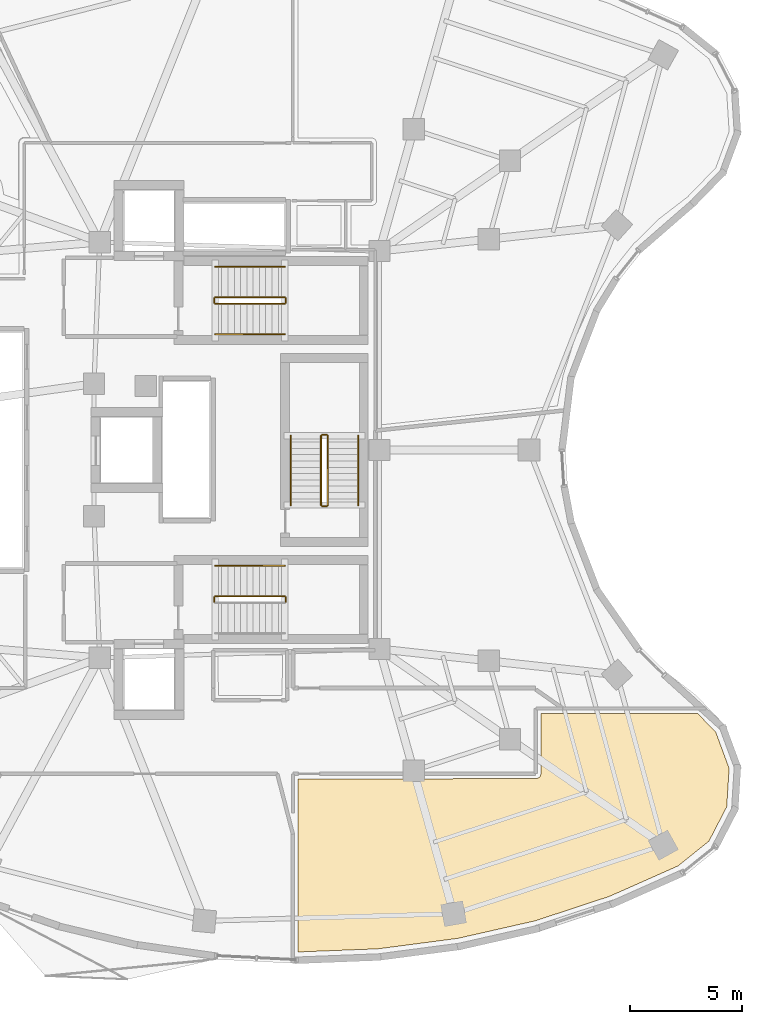
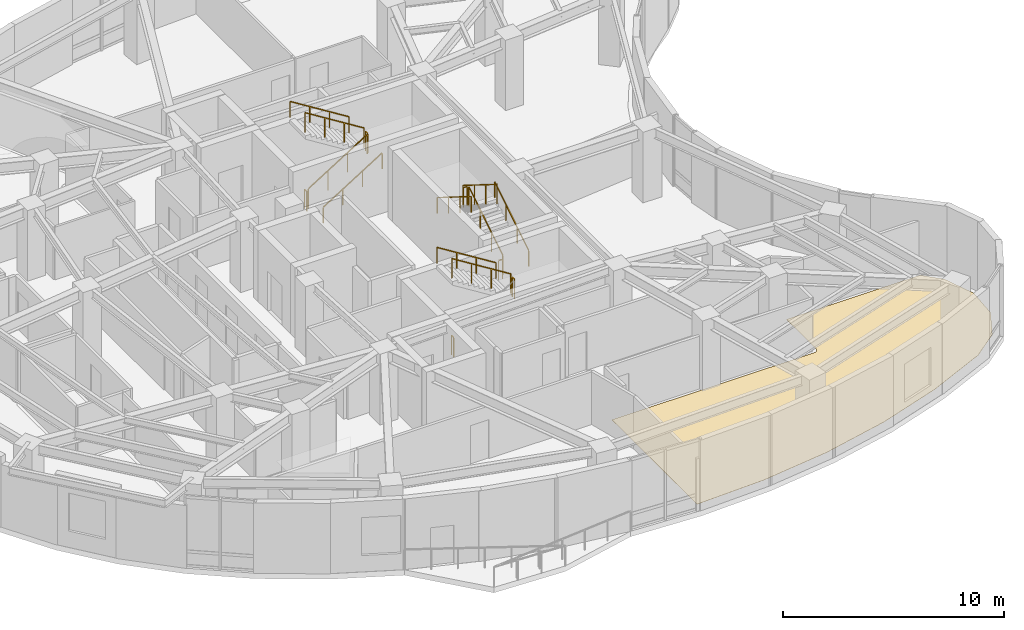
# One storey, part 13 of 14: 16 railings, 1 covering.
"""IFC4 building model written with IfcOpenShell, lengths in metres."""

from ifc_helpers import new_model, si_unit, direction, frame, origin, origin_2d, place, context, subcontext, project, spatial, polyline, rectangle, outline, extrude, material, layer, layer_set, type_object, element, save


model = new_model("IFC4")

# Units and contexts
model_context = context("Model", 3, precision=1e-05, world=origin(), true_north=direction((0.0, 1.0)))
body_context = subcontext(model_context, "Body", "Model", "MODEL_VIEW")
ifc_project = project(units=[si_unit("LENGTHUNIT", "METRE"), si_unit("AREAUNIT", "SQUARE_METRE"), si_unit("VOLUMEUNIT", "CUBIC_METRE"), si_unit("PLANEANGLEUNIT", "RADIAN"), si_unit("MASSUNIT", "GRAM", prefix="KILO")], contexts=[model_context])

# Site, building, storey
site_placement = place(None, origin())
site = spatial("IfcSite", under=ifc_project, at=site_placement, CompositionType="ELEMENT")
building_placement = place(site_placement, origin())
building = spatial("IfcBuilding", under=site, at=building_placement, Name="Korentha Bioscience Tower", CompositionType="ELEMENT")
storey_placement = place(building_placement, frame((0.0, 0.0, 231.0)))
storey = spatial("IfcBuildingStorey", under=building, at=storey_placement, Name="L53", CompositionType="ELEMENT", Elevation=231.0)

# Railings
ifc_material_1 = material(Name="Stainless Steel 304", Category="steel")
railing_type_1 = type_object("IfcRailingType", Name="Brushed Stainless Stair Handrail 900", PredefinedType="HANDRAIL", material=ifc_material_1)
railing_1_placement = place(storey_placement, frame((30.25, 32.14990234375, 0.175048828125)))
element("IfcRailing", 1, at=railing_1_placement, inside=storey, type_object=railing_type_1, Name="L53 ST-1 stair handrail 1", PredefinedType="HANDRAIL", context=body_context, shape_type="SweptSolid", body=[
    extrude(rectangle(XDim=0.048095703125, YDim=0.048095703125, at=origin_2d()), frame((0.0, 0.0, 0.8759765625), z_axis=(0.847998304005, 0.0, 0.529998940003), x_axis=(0.0, 1.0, 0.0)), (0.0, 0.0, 1.0), 3.632080078125),
    extrude(rectangle(XDim=0.0419921875, YDim=0.0419921875, at=origin_2d()), origin(), (0.0, 0.0, 1.0), 0.851806640625),
    extrude(rectangle(XDim=0.0419921875, YDim=0.0419921875, at=origin_2d()), frame((1.026611328125, 0.0, 0.6416015625)), (0.0, 0.0, 1.0), 0.851806640625),
    extrude(rectangle(XDim=0.0419921875, YDim=0.0419921875, at=origin_2d()), frame((2.053466796875, 0.0, 1.283447265625)), (0.0, 0.0, 1.0), 0.851806640625),
    extrude(rectangle(XDim=0.0419921875, YDim=0.0419921875, at=origin_2d()), frame((3.080078125, 0.0, 1.925048828125)), (0.0, 0.0, 1.0), 0.851806640625),
])
for number, where, name in (
    (2, (33.330078125, 35.14990234375, 2.27490234375), "L53 ST-1 stair handrail 2"),
    (3, (33.330078125, 21.85009765625, 2.27490234375), "L53 ST-2 stair handrail 2"),
):
    element("IfcRailing", number, at=place(storey_placement, frame(where)), inside=storey, type_object=railing_type_1, Name=name, PredefinedType="HANDRAIL", context=body_context, shape_type="SweptSolid", body=[
        extrude(rectangle(XDim=0.048095703125, YDim=0.048095703125, at=origin_2d()), frame((0.0, 0.0, 0.8759765625), z_axis=(-0.847998304005, 0.0, 0.529998940003), x_axis=(0.0, -1.0, 0.0)), (0.0, 0.0, 1.0), 3.632080078125),
        extrude(rectangle(XDim=0.0419921875, YDim=0.0419921875, at=origin_2d()), origin(), (0.0, 0.0, 1.0), 0.851806640625),
        extrude(rectangle(XDim=0.0419921875, YDim=0.0419921875, at=origin_2d()), frame((-1.026611328125, 0.0, 0.6416015625)), (0.0, 0.0, 1.0), 0.851806640625),
        extrude(rectangle(XDim=0.0419921875, YDim=0.0419921875, at=origin_2d()), frame((-2.053466796875, 0.0, 1.283447265625)), (0.0, 0.0, 1.0), 0.851806640625),
        extrude(rectangle(XDim=0.0419921875, YDim=0.0419921875, at=origin_2d()), frame((-3.080078125, 0.0, 1.925048828125)), (0.0, 0.0, 1.0), 0.851806640625),
    ])
railing_2_placement = place(storey_placement, frame((36.60009765625, 24.550048828125, 0.175048828125)))
element("IfcRailing", 4, at=railing_2_placement, inside=storey, type_object=railing_type_1, Name="L53 ST-3 stair handrail 1", PredefinedType="HANDRAIL", context=body_context, shape_type="SweptSolid", body=[
    extrude(rectangle(XDim=0.048095703125, YDim=0.048095703125, at=origin_2d()), frame((0.0, 0.0, 0.8759765625), z_axis=(0.0, 0.847979421464, 0.530029150871), x_axis=(-1.0, 0.0, 0.0)), (0.0, 0.0, 1.0), 3.632080078125),
    extrude(rectangle(XDim=0.0419921875, YDim=0.0419921875, at=origin_2d()), origin(), (0.0, 0.0, 1.0), 0.851806640625),
    extrude(rectangle(XDim=0.0419921875, YDim=0.0419921875, at=origin_2d()), frame((0.0, 1.026611328125, 0.6416015625)), (0.0, 0.0, 1.0), 0.851806640625),
    extrude(rectangle(XDim=0.0419921875, YDim=0.0419921875, at=origin_2d()), frame((0.0, 2.05322265625, 1.283447265625)), (0.0, 0.0, 1.0), 0.851806640625),
    extrude(rectangle(XDim=0.0419921875, YDim=0.0419921875, at=origin_2d()), frame((0.0, 3.079833984375, 1.925048828125)), (0.0, 0.0, 1.0), 0.851806640625),
])
railing_3_placement = place(storey_placement, frame((33.60009765625, 27.6298828125, 2.27490234375)))
element("IfcRailing", 5, at=railing_3_placement, inside=storey, type_object=railing_type_1, Name="L53 ST-3 stair handrail 2", PredefinedType="HANDRAIL", context=body_context, shape_type="SweptSolid", body=[
    extrude(rectangle(XDim=0.048095703125, YDim=0.048095703125, at=origin_2d()), frame((0.0, 0.0, 0.8759765625), z_axis=(0.0, -0.847979421464, 0.530029150871), x_axis=(1.0, 0.0, 0.0)), (0.0, 0.0, 1.0), 3.632080078125),
    extrude(rectangle(XDim=0.0419921875, YDim=0.0419921875, at=origin_2d()), origin(), (0.0, 0.0, 1.0), 0.851806640625),
    extrude(rectangle(XDim=0.0419921875, YDim=0.0419921875, at=origin_2d()), frame((0.0, -1.026611328125, 0.6416015625)), (0.0, 0.0, 1.0), 0.851806640625),
    extrude(rectangle(XDim=0.0419921875, YDim=0.0419921875, at=origin_2d()), frame((0.0, -2.05322265625, 1.283447265625)), (0.0, 0.0, 1.0), 0.851806640625),
    extrude(rectangle(XDim=0.0419921875, YDim=0.0419921875, at=origin_2d()), frame((0.0, -3.079833984375, 1.925048828125)), (0.0, 0.0, 1.0), 0.851806640625),
])
ifc_material_2 = material(Name="Painted Steel S275", Category="steel")
railing_type_2 = type_object("IfcRailingType", Name="Painted Steel Stair Well Guardrail 1100", PredefinedType="GUARDRAIL", material=ifc_material_2)
railing_4_placement = place(storey_placement, frame((30.25, 33.5, 0.175048828125)))
element("IfcRailing", 6, at=railing_4_placement, inside=storey, type_object=railing_type_2, Name="L53 ST-1 stair guard 1", PredefinedType="GUARDRAIL", context=body_context, shape_type="SweptSolid", body=[
    extrude(rectangle(XDim=0.048095703125, YDim=0.048095703125, at=origin_2d()), frame((0.0, 0.0, 1.076171875), z_axis=(0.847998304005, 0.0, 0.529998940003), x_axis=(0.0, 1.0, 0.0)), (0.0, 0.0, 1.0), 3.632080078125),
    extrude(rectangle(XDim=0.0419921875, YDim=0.0419921875, at=origin_2d()), origin(), (0.0, 0.0, 1.0), 1.052001953125),
    extrude(rectangle(XDim=0.0419921875, YDim=0.0419921875, at=origin_2d()), frame((1.026611328125, 0.0, 0.6416015625)), (0.0, 0.0, 1.0), 1.052001953125),
    extrude(rectangle(XDim=0.0419921875, YDim=0.0419921875, at=origin_2d()), frame((2.053466796875, 0.0, 1.283447265625)), (0.0, 0.0, 1.0), 1.052001953125),
    extrude(rectangle(XDim=0.0419921875, YDim=0.0419921875, at=origin_2d()), frame((3.080078125, 0.0, 1.925048828125)), (0.0, 0.0, 1.0), 1.052001953125),
])
railing_5_placement = place(storey_placement, frame((33.3798828125, 33.550048828125, 2.10009765625)))
element("IfcRailing", 7, at=railing_5_placement, inside=storey, type_object=railing_type_2, Name="L53 ST-1 stair guard 2", PredefinedType="GUARDRAIL", context=body_context, shape_type="SweptSolid", body=[
    extrude(rectangle(XDim=0.048095703125, YDim=0.048095703125, at=origin_2d()), frame((0.0, 0.0, 1.076171875), z_axis=(0.0, 1.0, 0.0), x_axis=(-1.0, 0.0, 0.0)), (0.0, 0.0, 1.0), 0.199951171875),
    extrude(rectangle(XDim=0.0419921875, YDim=0.0419921875, at=origin_2d()), origin(), (0.0, 0.0, 1.0), 1.052001953125),
    extrude(rectangle(XDim=0.0419921875, YDim=0.0419921875, at=origin_2d()), frame((0.0, 0.199951171875, 0.0)), (0.0, 0.0, 1.0), 1.052001953125),
])
railing_6_placement = place(storey_placement, frame((33.330078125, 33.800048828125, 2.27490234375)))
element("IfcRailing", 8, at=railing_6_placement, inside=storey, type_object=railing_type_2, Name="L53 ST-1 stair guard 3", PredefinedType="GUARDRAIL", context=body_context, shape_type="SweptSolid", body=[
    extrude(rectangle(XDim=0.048095703125, YDim=0.048095703125, at=origin_2d()), frame((0.0, 0.0, 1.076171875), z_axis=(-0.847998304005, 0.0, 0.529998940003), x_axis=(0.0, -1.0, 0.0)), (0.0, 0.0, 1.0), 3.632080078125),
    extrude(rectangle(XDim=0.0419921875, YDim=0.0419921875, at=origin_2d()), origin(), (0.0, 0.0, 1.0), 1.052001953125),
    extrude(rectangle(XDim=0.0419921875, YDim=0.0419921875, at=origin_2d()), frame((-1.026611328125, 0.0, 0.6416015625)), (0.0, 0.0, 1.0), 1.052001953125),
    extrude(rectangle(XDim=0.0419921875, YDim=0.0419921875, at=origin_2d()), frame((-2.053466796875, 0.0, 1.283447265625)), (0.0, 0.0, 1.0), 1.052001953125),
    extrude(rectangle(XDim=0.0419921875, YDim=0.0419921875, at=origin_2d()), frame((-3.080078125, 0.0, 1.925048828125)), (0.0, 0.0, 1.0), 1.052001953125),
])
for number, where, name in (
    (9, (30.199951171875, 33.550048828125, 0.0), "L53 ST-1 stair guard 4"),
    (10, (33.3798828125, 20.25, 2.10009765625), "L53 ST-2 stair guard 2"),
):
    element("IfcRailing", number, at=place(storey_placement, frame(where)), inside=storey, type_object=railing_type_2, Name=name, PredefinedType="GUARDRAIL", context=body_context, shape_type="SweptSolid", body=[
        extrude(rectangle(XDim=0.048095703125, YDim=0.048095703125, at=origin_2d()), frame((0.0, 0.0, 1.076171875), z_axis=(0.0, 1.0, 0.0), x_axis=(-1.0, 0.0, 0.0)), (0.0, 0.0, 1.0), 0.199951171875),
        extrude(rectangle(XDim=0.0419921875, YDim=0.0419921875, at=origin_2d()), origin(), (0.0, 0.0, 1.0), 1.052001953125),
        extrude(rectangle(XDim=0.0419921875, YDim=0.0419921875, at=origin_2d()), frame((0.0, 0.199951171875, 0.0)), (0.0, 0.0, 1.0), 1.052001953125),
    ])
railing_7_placement = place(storey_placement, frame((33.330078125, 20.5, 2.27490234375)))
element("IfcRailing", 11, at=railing_7_placement, inside=storey, type_object=railing_type_2, Name="L53 ST-2 stair guard 3", PredefinedType="GUARDRAIL", context=body_context, shape_type="SweptSolid", body=[
    extrude(rectangle(XDim=0.048095703125, YDim=0.048095703125, at=origin_2d()), frame((0.0, 0.0, 1.076171875), z_axis=(-0.847998304005, 0.0, 0.529998940003), x_axis=(0.0, -1.0, 0.0)), (0.0, 0.0, 1.0), 3.632080078125),
    extrude(rectangle(XDim=0.0419921875, YDim=0.0419921875, at=origin_2d()), origin(), (0.0, 0.0, 1.0), 1.052001953125),
    extrude(rectangle(XDim=0.0419921875, YDim=0.0419921875, at=origin_2d()), frame((-1.026611328125, 0.0, 0.6416015625)), (0.0, 0.0, 1.0), 1.052001953125),
    extrude(rectangle(XDim=0.0419921875, YDim=0.0419921875, at=origin_2d()), frame((-2.053466796875, 0.0, 1.283447265625)), (0.0, 0.0, 1.0), 1.052001953125),
    extrude(rectangle(XDim=0.0419921875, YDim=0.0419921875, at=origin_2d()), frame((-3.080078125, 0.0, 1.925048828125)), (0.0, 0.0, 1.0), 1.052001953125),
])
railing_8_placement = place(storey_placement, frame((30.199951171875, 20.25, 0.0)))
element("IfcRailing", 12, at=railing_8_placement, inside=storey, type_object=railing_type_2, Name="L53 ST-2 stair guard 4", PredefinedType="GUARDRAIL", context=body_context, shape_type="SweptSolid", body=[
    extrude(rectangle(XDim=0.048095703125, YDim=0.048095703125, at=origin_2d()), frame((0.0, 0.0, 1.076171875), z_axis=(0.0, 1.0, 0.0), x_axis=(-1.0, 0.0, 0.0)), (0.0, 0.0, 1.0), 0.199951171875),
    extrude(rectangle(XDim=0.0419921875, YDim=0.0419921875, at=origin_2d()), origin(), (0.0, 0.0, 1.0), 1.052001953125),
    extrude(rectangle(XDim=0.0419921875, YDim=0.0419921875, at=origin_2d()), frame((0.0, 0.199951171875, 0.0)), (0.0, 0.0, 1.0), 1.052001953125),
])
railing_9_placement = place(storey_placement, frame((35.25, 24.550048828125, 0.175048828125)))
element("IfcRailing", 13, at=railing_9_placement, inside=storey, type_object=railing_type_2, Name="L53 ST-3 stair guard 1", PredefinedType="GUARDRAIL", context=body_context, shape_type="SweptSolid", body=[
    extrude(rectangle(XDim=0.048095703125, YDim=0.048095703125, at=origin_2d()), frame((0.0, 0.0, 1.076171875), z_axis=(0.0, 0.847979421464, 0.530029150871), x_axis=(-1.0, 0.0, 0.0)), (0.0, 0.0, 1.0), 3.632080078125),
    extrude(rectangle(XDim=0.0419921875, YDim=0.0419921875, at=origin_2d()), origin(), (0.0, 0.0, 1.0), 1.052001953125),
    extrude(rectangle(XDim=0.0419921875, YDim=0.0419921875, at=origin_2d()), frame((0.0, 1.026611328125, 0.6416015625)), (0.0, 0.0, 1.0), 1.052001953125),
    extrude(rectangle(XDim=0.0419921875, YDim=0.0419921875, at=origin_2d()), frame((0.0, 2.05322265625, 1.283447265625)), (0.0, 0.0, 1.0), 1.052001953125),
    extrude(rectangle(XDim=0.0419921875, YDim=0.0419921875, at=origin_2d()), frame((0.0, 3.079833984375, 1.925048828125)), (0.0, 0.0, 1.0), 1.052001953125),
])
railing_10_placement = place(storey_placement, frame((35.199951171875, 27.679931640625, 2.10009765625)))
element("IfcRailing", 14, at=railing_10_placement, inside=storey, type_object=railing_type_2, Name="L53 ST-3 stair guard 2", PredefinedType="GUARDRAIL", context=body_context, shape_type="SweptSolid", body=[
    extrude(rectangle(XDim=0.048095703125, YDim=0.048095703125, at=origin_2d()), frame((0.0, 0.0, 1.076171875), z_axis=(-1.0, 0.0, 0.0), x_axis=(0.0, -1.0, 0.0)), (0.0, 0.0, 1.0), 0.199951171875),
    extrude(rectangle(XDim=0.0419921875, YDim=0.0419921875, at=origin_2d()), origin(), (0.0, 0.0, 1.0), 1.052001953125),
    extrude(rectangle(XDim=0.0419921875, YDim=0.0419921875, at=origin_2d()), frame((-0.199951171875, 0.0, 0.0)), (0.0, 0.0, 1.0), 1.052001953125),
])
railing_11_placement = place(storey_placement, frame((34.949951171875, 27.6298828125, 2.27490234375)))
element("IfcRailing", 15, at=railing_11_placement, inside=storey, type_object=railing_type_2, Name="L53 ST-3 stair guard 3", PredefinedType="GUARDRAIL", context=body_context, shape_type="SweptSolid", body=[
    extrude(rectangle(XDim=0.048095703125, YDim=0.048095703125, at=origin_2d()), frame((0.0, 0.0, 1.076171875), z_axis=(0.0, -0.847979421464, 0.530029150871), x_axis=(1.0, 0.0, 0.0)), (0.0, 0.0, 1.0), 3.632080078125),
    extrude(rectangle(XDim=0.0419921875, YDim=0.0419921875, at=origin_2d()), origin(), (0.0, 0.0, 1.0), 1.052001953125),
    extrude(rectangle(XDim=0.0419921875, YDim=0.0419921875, at=origin_2d()), frame((0.0, -1.026611328125, 0.6416015625)), (0.0, 0.0, 1.0), 1.052001953125),
    extrude(rectangle(XDim=0.0419921875, YDim=0.0419921875, at=origin_2d()), frame((0.0, -2.05322265625, 1.283447265625)), (0.0, 0.0, 1.0), 1.052001953125),
    extrude(rectangle(XDim=0.0419921875, YDim=0.0419921875, at=origin_2d()), frame((0.0, -3.079833984375, 1.925048828125)), (0.0, 0.0, 1.0), 1.052001953125),
])
railing_12_placement = place(storey_placement, frame((35.199951171875, 24.5, 0.0)))
element("IfcRailing", 16, at=railing_12_placement, inside=storey, type_object=railing_type_2, Name="L53 ST-3 stair guard 4", PredefinedType="GUARDRAIL", context=body_context, shape_type="SweptSolid", body=[
    extrude(rectangle(XDim=0.048095703125, YDim=0.048095703125, at=origin_2d()), frame((0.0, 0.0, 1.076171875), z_axis=(-1.0, 0.0, 0.0), x_axis=(0.0, -1.0, 0.0)), (0.0, 0.0, 1.0), 0.199951171875),
    extrude(rectangle(XDim=0.0419921875, YDim=0.0419921875, at=origin_2d()), origin(), (0.0, 0.0, 1.0), 1.052001953125),
    extrude(rectangle(XDim=0.0419921875, YDim=0.0419921875, at=origin_2d()), frame((-0.199951171875, 0.0, 0.0)), (0.0, 0.0, 1.0), 1.052001953125),
])

# Covering
ifc_material_3 = material(Name="Chemical-Resistant Epoxy Resin", Category="polymer")
ifc_layer = layer(ifc_material_3, 0.011962890625, Name="Chemical-Resistant Epoxy Resin")
ifc_layer_set = layer_set([ifc_layer], Name="Chemical-Resistant Epoxy Resin (FL-EPX)")
covering_type = type_object("IfcCoveringType", Name="Seamless Epoxy Laboratory Flooring 12", PredefinedType="FLOORING", material=ifc_layer_set)
covering_placement = place(storey_placement, origin())
element("IfcCovering", 17, at=covering_placement, inside=storey, type_object=covering_type, Name="L53 Peptide Synthesis Wet Lab 05 Floor Finish", PredefinedType="FLOORING", context=body_context, shape_type="SweptSolid", body=[
    extrude(outline(polyline([(33.922119140625, 12.3701171875), (44.556396484375, 12.376953125), (44.670654296875, 12.44580078125), (44.71630859375, 12.522216796875), (44.729736328125, 12.588134765625), (44.72998046875, 15.278076171875), (51.70654296875, 15.278076171875), (52.51025390625, 14.448486328125), (53.104736328125, 12.838623046875), (52.99853515625, 11.12548828125), (52.209716796875, 9.6015625), (50.84033203125, 8.5), (47.781982421875, 7.141845703125), (44.487060546875, 6.055419921875), (41.0400390625, 5.273681640625), (37.491455078125, 4.808349609375), (33.927978515625, 4.667724609375), (33.922119140625, 12.3701171875)])), origin(), (0.0, 0.0, 1.0), 0.011962890625),
])

save(model, "model.ifc")
